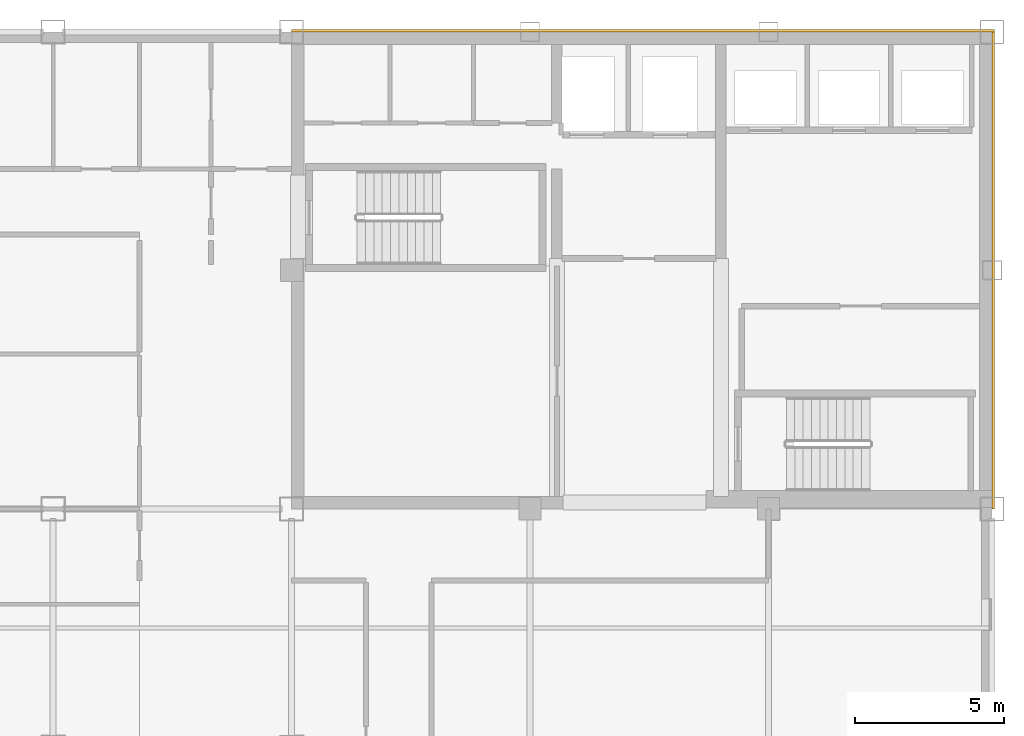
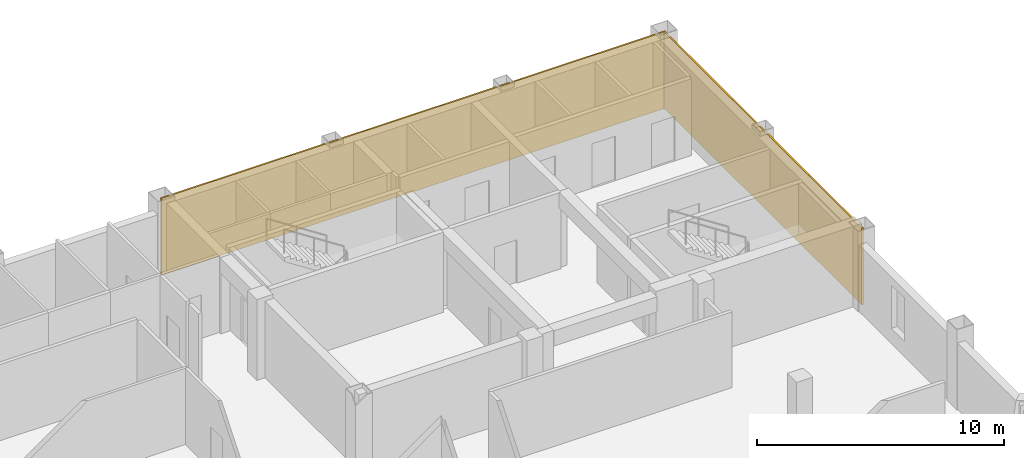
# One storey, part 7 of 7: 2 coverings.
"""IFC4 building model written with IfcOpenShell, lengths in metres."""

from ifc_helpers import new_model, si_unit, direction, frame, origin, origin_2d, place, context, subcontext, project, spatial, rectangle, extrude, material, layer, layer_set, type_object, element, save


model = new_model("IFC4")

# Units and contexts
model_context = context("Model", 3, precision=1e-05, world=origin(), true_north=direction((0.0, 1.0)))
body_context = subcontext(model_context, "Body", "Model", "MODEL_VIEW")
ifc_project = project(units=[si_unit("LENGTHUNIT", "METRE"), si_unit("AREAUNIT", "SQUARE_METRE"), si_unit("VOLUMEUNIT", "CUBIC_METRE"), si_unit("PLANEANGLEUNIT", "RADIAN"), si_unit("MASSUNIT", "GRAM", prefix="KILO")], contexts=[model_context])

# Site, building, storey
site_placement = place(None, origin())
site = spatial("IfcSite", under=ifc_project, at=site_placement, CompositionType="ELEMENT")
building_placement = place(site_placement, origin())
building = spatial("IfcBuilding", under=site, at=building_placement, Name="Qianrong Seaharbour Tower", CompositionType="ELEMENT")
storey_placement = place(building_placement, frame((0.0, 0.0, 303.199951171875)))
storey = spatial("IfcBuildingStorey", under=building, at=storey_placement, Name="L73", CompositionType="ELEMENT", Elevation=303.199951171875)

# Coverings
ifc_material = material(Name="Unitised red brick cladding on Precast concrete C45/55", Category="masonry")
ifc_layer = layer(ifc_material, 0.080078125)
ifc_layer_set = layer_set([ifc_layer], Name="Unitised red brick cladding on Precast concrete C45/55")
covering_type = type_object("IfcCoveringType", Name="COV-CLAD-RED-BRICK-80", PredefinedType="CLADDING", material=ifc_layer_set)
covering_1_placement = place(storey_placement, frame((52.2900390625, 52.0400390625, 0.0), z_axis=(0.0, 0.0, 1.0), x_axis=(1.0, 0.0, 0.0)))
element("IfcCovering", 1, at=covering_1_placement, inside=storey, type_object=covering_type, Name="L73 North Core Brick Veneer Cladding", PredefinedType="CLADDING", context=body_context, shape_type="SweptSolid", body=[
    extrude(rectangle(XDim=23.580078125, YDim=0.080078125, at=origin_2d()), origin(), (0.0, 0.0, 1.0), 3.784912109375),
])
covering_2_placement = place(storey_placement, frame((64.0400390625, 44.0, 0.0), z_axis=(0.0, 0.0, 1.0), x_axis=(1.0, 0.0, 0.0)))
element("IfcCovering", 2, at=covering_2_placement, inside=storey, type_object=covering_type, Name="L73 East Core Brick Veneer Cladding", PredefinedType="CLADDING", context=body_context, shape_type="SweptSolid", body=[
    extrude(rectangle(XDim=0.080078125, YDim=16.0, at=origin_2d()), origin(), (0.0, 0.0, 1.0), 3.784912109375),
])

save(model, "model.ifc")
